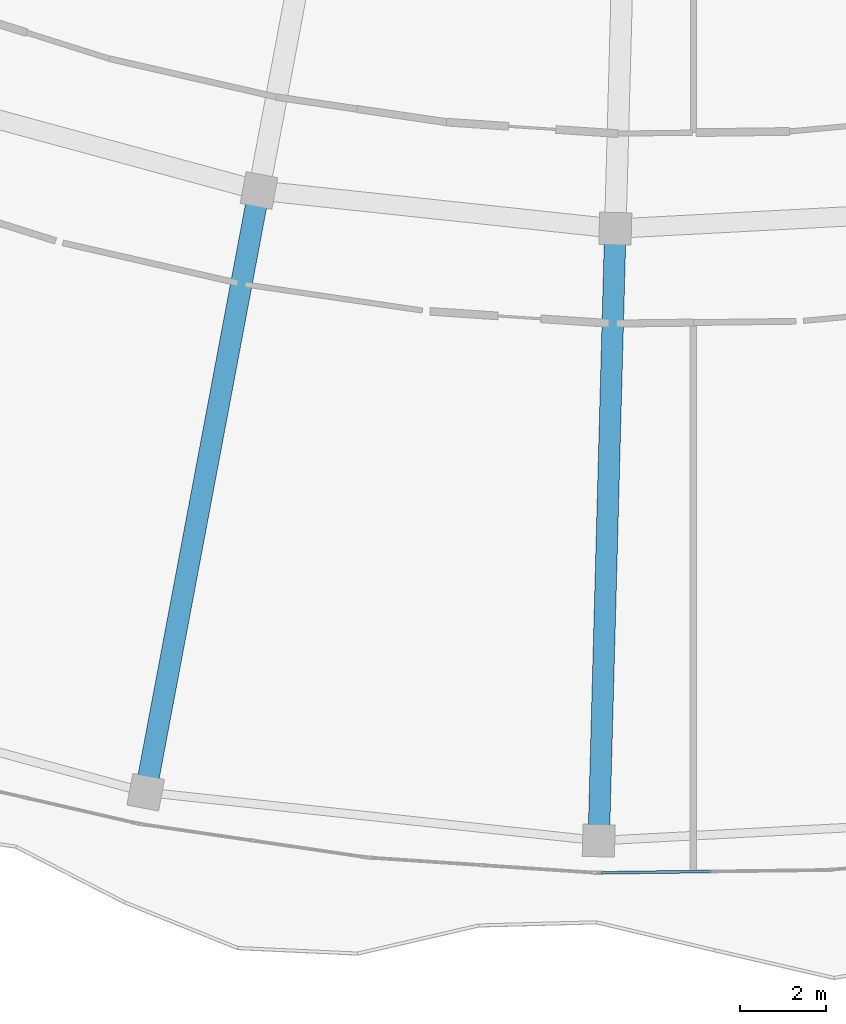
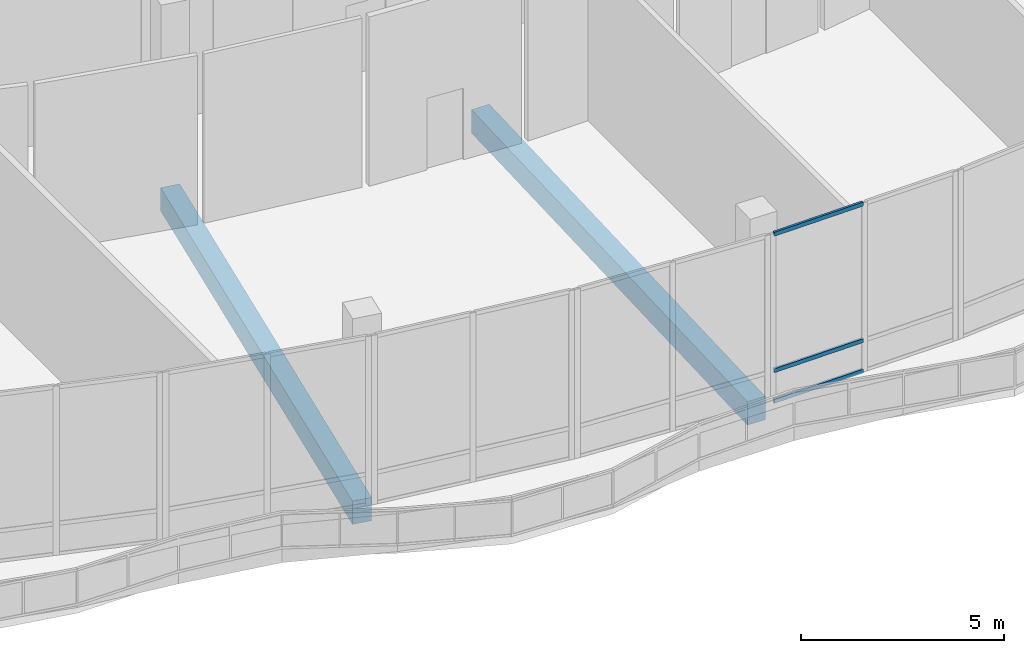
# One storey, part 26 of 158: 3 members, 2 beams, 1 element without a shape of its own.
"""IFC4 building model written with IfcOpenShell, lengths in metres."""

from ifc_helpers import new_model, si_unit, direction, frame, origin, origin_2d, place, context, subcontext, project, spatial, rectangle, hollow_rectangle, extrude, material, material_profile, profile_set, type_object, element, aggregate, save


model = new_model("IFC4")

# Units and contexts
model_context = context("Model", 3, precision=1e-05, world=origin(), true_north=direction((0.0, 1.0)))
body_context = subcontext(model_context, "Body", "Model", "MODEL_VIEW")
ifc_project = project(units=[si_unit("LENGTHUNIT", "METRE"), si_unit("AREAUNIT", "SQUARE_METRE"), si_unit("VOLUMEUNIT", "CUBIC_METRE"), si_unit("PLANEANGLEUNIT", "RADIAN"), si_unit("MASSUNIT", "GRAM", prefix="KILO")], contexts=[model_context])

# Site, building, storey
site_placement = place(None, origin())
site = spatial("IfcSite", under=ifc_project, at=site_placement, CompositionType="ELEMENT")
building_placement = place(site_placement, origin())
building = spatial("IfcBuilding", under=site, at=building_placement, Name="Selatvlak General Hospital", CompositionType="ELEMENT")
storey_placement = place(building_placement, origin())
storey = spatial("IfcBuildingStorey", under=building, at=storey_placement, Name="L00", CompositionType="ELEMENT", Elevation=0.0)

# Beams
ifc_material_1 = material(Name="Concrete C40/50", Category="concrete")
ifc_material_profile_1 = material_profile(ifc_material_1, rectangle(XDim=0.5, YDim=0.699951171875, at=origin_2d()), Name="RC-BM 500x700")
ifc_profile_set_1 = profile_set([ifc_material_profile_1], Name="Concrete C40/50")
beam_type = type_object("IfcBeamType", Name="BM-G03", PredefinedType="BEAM", material=ifc_profile_set_1)
beam_1_placement = place(storey_placement, frame((46.2880859375, 27.906005859375, -0.699951171875), z_axis=(-0.184983631041, -0.982741601972, 0.0), x_axis=(0.982741601972, -0.184983631041, 0.0)))
element("IfcBeam", 1, at=beam_1_placement, inside=storey, type_object=beam_type, Name="Beam BMR-L00-0340", PredefinedType="BEAM", context=body_context, shape_type="SweptSolid", body=[
    extrude(rectangle(XDim=0.5, YDim=0.699951171875, at=origin_2d()), origin(), (0.0, 0.0, 1.0), 14.249755859375),
])
beam_2_placement = place(storey_placement, frame((54.58203125, 27.01904296875, -0.699951171875), z_axis=(-0.027087958629, -0.999633053924, 0.0), x_axis=(0.999633053924, -0.027087958629, 0.0)))
element("IfcBeam", 2, at=beam_2_placement, inside=storey, type_object=beam_type, Name="Beam BMR-L00-0342", PredefinedType="BEAM", context=body_context, shape_type="SweptSolid", body=[
    extrude(rectangle(XDim=0.5, YDim=0.699951171875, at=origin_2d()), origin(), (0.0, 0.0, 1.0), 14.249267578125),
])

# Curtain wall, members
ifc_material_2 = material(Name="Solar-control Low-E double glazing", Category="glass")
curtain_wall_type = type_object("IfcCurtainWallType", Name="CW-CW-02", PredefinedType="USERDEFINED", material=ifc_material_2)
curtain_wall_placement = place(storey_placement, origin())
curtain_wall = element("IfcCurtainWall", 3, at=curtain_wall_placement, inside=storey, type_object=curtain_wall_type, Name="Glazed facade curtain wall CW-L00-0054", ObjectType="UNITISED CURTAIN WALL", PredefinedType="USERDEFINED")
ifc_material_3 = material(Name="Dark anodised aluminium mullion", Category="aluminium")
ifc_material_profile_2 = material_profile(ifc_material_3, hollow_rectangle(XDim=0.06494140625, YDim=0.1201171875, WallThickness=0.00390625, at=origin_2d()), Name="AL-TRN 65x120x4")
ifc_profile_set_2 = profile_set([ifc_material_profile_2], Name="Dark anodised aluminium mullion")
member_type = type_object("IfcMemberType", Name="CWT-01", PredefinedType="USERDEFINED", material=ifc_profile_set_2)
member_1_placement = place(storey_placement, frame((56.802978515625, 12.05810546875, 0.032470703125), z_axis=(-0.99991989426, -0.012657213851, 0.0), x_axis=(0.012657213851, -0.99991989426, 0.0)))
member_1 = element("IfcMember", 4, at=member_1_placement, type_object=member_type, Name="CW-02 transom 2.1", ObjectType="TRANSOM", PredefinedType="USERDEFINED", context=body_context, shape_type="SweptSolid", body=[
    extrude(hollow_rectangle(XDim=0.06494140625, YDim=0.1201171875, WallThickness=0.00390625, at=origin_2d()), origin(), (0.0, 0.0, 1.0), 2.546142578125),
])
member_2_placement = place(storey_placement, frame((56.802978515625, 12.05810546875, 0.949951171875), z_axis=(-0.99991989426, -0.012657213851, 0.0), x_axis=(0.012657213851, -0.99991989426, 0.0)))
member_2 = element("IfcMember", 5, at=member_2_placement, type_object=member_type, Name="CW-02 transom 2.2", ObjectType="TRANSOM", PredefinedType="USERDEFINED", context=body_context, shape_type="SweptSolid", body=[
    extrude(hollow_rectangle(XDim=0.06494140625, YDim=0.1201171875, WallThickness=0.00390625, at=origin_2d()), origin(), (0.0, 0.0, 1.0), 2.546142578125),
])
member_3_placement = place(storey_placement, frame((56.802978515625, 12.05810546875, 5.047607421875), z_axis=(-0.99991989426, -0.012657213851, 0.0), x_axis=(0.012657213851, -0.99991989426, 0.0)))
member_3 = element("IfcMember", 6, at=member_3_placement, type_object=member_type, Name="CW-02 transom 2.3", ObjectType="TRANSOM", PredefinedType="USERDEFINED", context=body_context, shape_type="SweptSolid", body=[
    extrude(hollow_rectangle(XDim=0.06494140625, YDim=0.1201171875, WallThickness=0.00390625, at=origin_2d()), origin(), (0.0, 0.0, 1.0), 2.546142578125),
])
aggregate(curtain_wall, [member_1, member_2, member_3])

save(model, "model.ifc")
